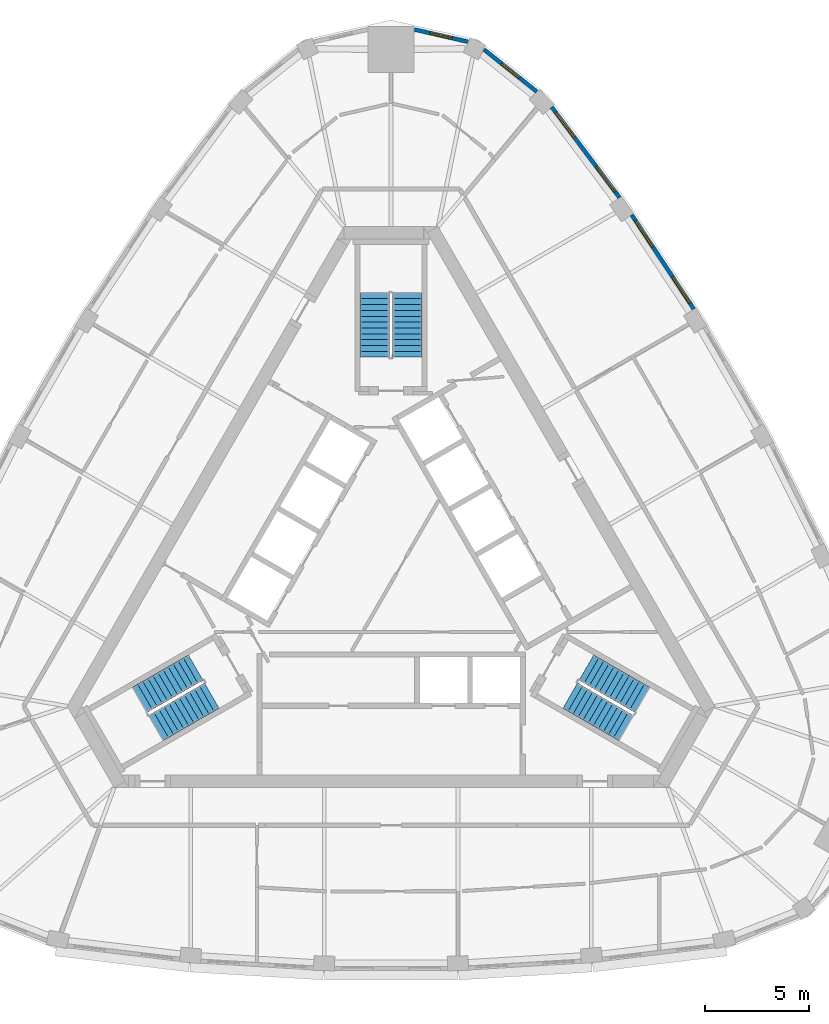
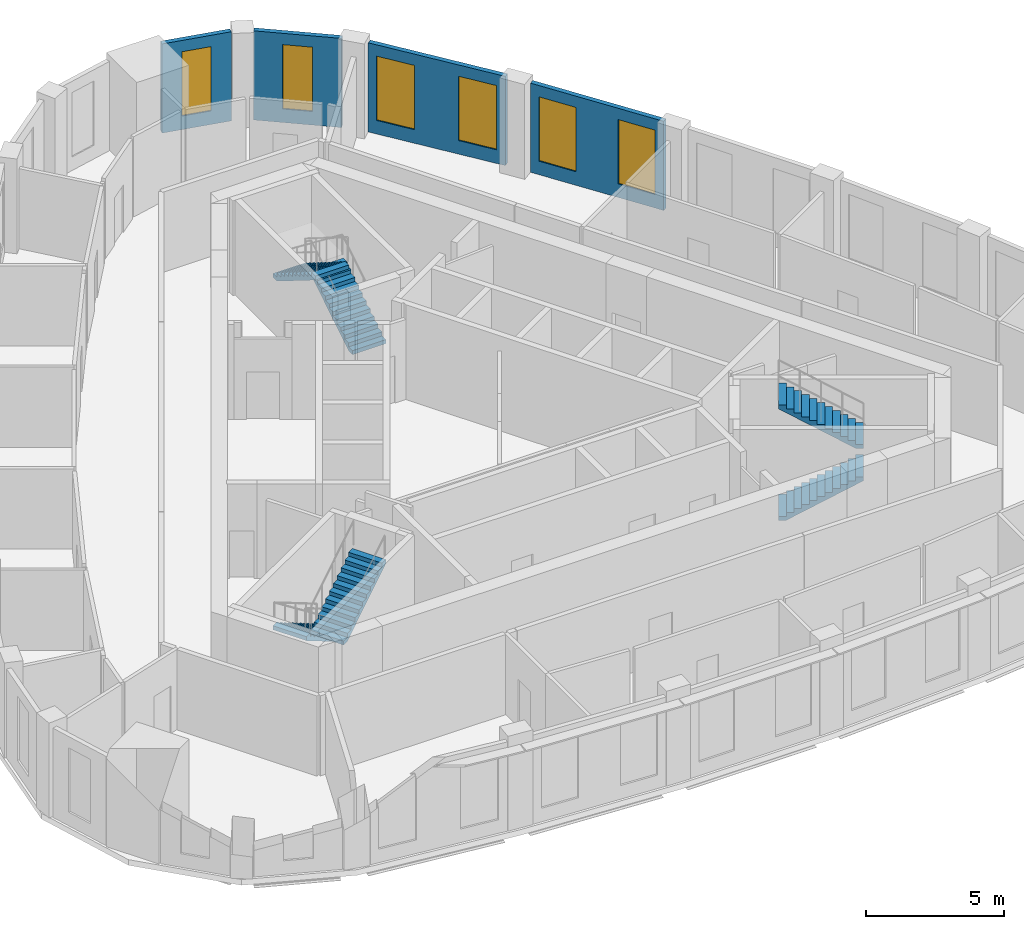
# One storey, part 9 of 10: 6 stair flights, 6 windows, 4 walls, 6 openings, 3 elements without a shape of their own.
"""IFC4 building model written with IfcOpenShell, lengths in metres."""

from ifc_helpers import new_model, si_unit, direction, frame, frame_2d, origin, place, context, subcontext, project, spatial, polyline, rectangle, outline, extrude, material, layer, layer_set, type_object, element, fill, aggregate, save


model = new_model("IFC4")

# Units and contexts
model_context = context("Model", 3, precision=1e-05, world=origin(), true_north=direction((0.0, 1.0)))
body_context = subcontext(model_context, "Body", "Model", "MODEL_VIEW")
ifc_project = project(units=[si_unit("LENGTHUNIT", "METRE"), si_unit("AREAUNIT", "SQUARE_METRE"), si_unit("VOLUMEUNIT", "CUBIC_METRE"), si_unit("PLANEANGLEUNIT", "RADIAN"), si_unit("MASSUNIT", "GRAM", prefix="KILO")], contexts=[model_context])

# Site, building, storey
site_placement = place(None, origin())
site = spatial("IfcSite", under=ifc_project, at=site_placement, CompositionType="ELEMENT")
building_placement = place(site_placement, origin())
building = spatial("IfcBuilding", under=site, at=building_placement, Name="Mestral Congress Tower", CompositionType="ELEMENT")
storey_placement = place(building_placement, frame((0.0, 0.0, 288.0)))
storey = spatial("IfcBuildingStorey", under=building, at=storey_placement, Name="L67", CompositionType="ELEMENT", Elevation=288.0)

# Wall, openings, windows
ifc_material_1 = material(Name="Precast concrete C40/50 with limestone facing", Category="masonry")
ifc_layer = layer(ifc_material_1, 0.18994140625)
ifc_layer_set = layer_set([ifc_layer], Name="Precast concrete C40/50 with limestone facing")
wall_type = type_object("IfcWallType", Name="Facade stone wall 190", PredefinedType="SOLIDWALL", material=ifc_layer_set)
wall_1_placement = place(storey_placement, frame((14.49560546875, 12.6533203125, 0.0), z_axis=(0.0, 0.0, 1.0), x_axis=(-0.550744054781, 0.83467417962, 0.0)))
wall_1 = element("IfcWall", 1, at=wall_1_placement, inside=storey, type_object=wall_type, Name="Facade wall F1-03", PredefinedType="SOLIDWALL", context=body_context, shape_type="SweptSolid", body=[
    extrude(rectangle(XDim=5.406005859375, YDim=0.18994140625, at=frame_2d((2.703125, 0.0))), origin(), (0.0, 0.0, 1.0), 3.949951171875),
])
opening_1_placement = place(wall_1_placement, frame((0.346435546875, 0.0, 0.60009765625)))
opening_1 = element("IfcOpeningElement", 2, at=opening_1_placement, cuts=wall_1, Name="Opening W6", PredefinedType="OPENING", context=body_context, shape_type="SweptSolid", body=[
    extrude(rectangle(XDim=1.5, YDim=2.85009765625, at=frame_2d((0.75, 1.425048828125))), frame((0.0, 0.10498046875, 0.0), z_axis=(0.0, -1.0, 0.0), x_axis=(1.0, 0.0, 0.0)), (0.0, 0.0, 1.0), 0.2099609375),
])
opening_2_placement = place(wall_1_placement, frame((3.559326171875, 0.0, 0.60009765625)))
opening_2 = element("IfcOpeningElement", 3, at=opening_2_placement, cuts=wall_1, Name="Opening W6", PredefinedType="OPENING", context=body_context, shape_type="SweptSolid", body=[
    extrude(rectangle(XDim=1.5, YDim=2.85009765625, at=frame_2d((0.75, 1.425048828125))), frame((0.0, 0.10498046875, 0.0), z_axis=(0.0, -1.0, 0.0), x_axis=(1.0, 0.0, 0.0)), (0.0, 0.0, 1.0), 0.2099609375),
])
ifc_material_2 = material(Name="Clear low-emissivity double glazing", Category="glass")
window_type_1 = type_object("IfcWindowType", Name="Facade punched window 1500 x 2850 sill 600", PartitioningType="SINGLE_PANEL", PredefinedType="WINDOW", material=ifc_material_2)
window_1_placement = place(opening_1_placement, origin())
window_1 = element("IfcWindow", 4, at=window_1_placement, inside=storey, type_object=window_type_1, Name="Window F1-03a", OverallHeight=2.85009765625, OverallWidth=1.5, PartitioningType="SINGLE_PANEL", PredefinedType="WINDOW", context=body_context, shape_type="SweptSolid", body=[
    extrude(rectangle(XDim=1.5, YDim=2.85009765625, at=frame_2d((0.75, 1.425048828125))), frame((0.0, 0.044921875, 0.0), z_axis=(0.0, -1.0, 0.0), x_axis=(1.0, 0.0, 0.0)), (0.0, 0.0, 1.0), 0.06005859375),
])
fill(opening_1, window_1)
window_2_placement = place(opening_2_placement, origin())
window_2 = element("IfcWindow", 5, at=window_2_placement, inside=storey, type_object=window_type_1, Name="Window F1-03b", OverallHeight=2.85009765625, OverallWidth=1.5, PartitioningType="SINGLE_PANEL", PredefinedType="WINDOW", context=body_context, shape_type="SweptSolid", body=[
    extrude(rectangle(XDim=1.5, YDim=2.85009765625, at=frame_2d((0.75, 1.425048828125))), frame((0.0, 0.044921875, 0.0), z_axis=(0.0, -1.0, 0.0), x_axis=(1.0, 0.0, 0.0)), (0.0, 0.0, 1.0), 0.06005859375),
])
fill(opening_2, window_2)

wall_2_placement = place(storey_placement, frame((10.938232421875, 17.989990234375, 0.0), z_axis=(0.0, 0.0, 1.0), x_axis=(-0.599559865294, 0.800329911929, 0.0)))
wall_2 = element("IfcWall", 6, at=wall_2_placement, inside=storey, type_object=wall_type, Name="Facade wall F1-04", PredefinedType="SOLIDWALL", context=body_context, shape_type="SweptSolid", body=[
    extrude(rectangle(XDim=5.4150390625, YDim=0.18994140625, at=frame_2d((2.70751953125, 0.0))), origin(), (0.0, 0.0, 1.0), 3.949951171875),
])
opening_3_placement = place(wall_2_placement, frame((0.357666015625, 0.0, 0.60009765625)))
opening_3 = element("IfcOpeningElement", 7, at=opening_3_placement, cuts=wall_2, Name="Opening W6", PredefinedType="OPENING", context=body_context, shape_type="SweptSolid", body=[
    extrude(rectangle(XDim=1.5, YDim=2.85009765625, at=frame_2d((0.75, 1.425048828125))), frame((0.0, 0.10498046875, 0.0), z_axis=(0.0, -1.0, 0.0), x_axis=(1.0, 0.0, 0.0)), (0.0, 0.0, 1.0), 0.2099609375),
])
opening_4_placement = place(wall_2_placement, frame((3.592529296875, 0.0, 0.60009765625)))
opening_4 = element("IfcOpeningElement", 8, at=opening_4_placement, cuts=wall_2, Name="Opening W6", PredefinedType="OPENING", context=body_context, shape_type="SweptSolid", body=[
    extrude(rectangle(XDim=1.5, YDim=2.85009765625, at=frame_2d((0.75, 1.425048828125))), frame((0.0, 0.10498046875, 0.0), z_axis=(0.0, -1.0, 0.0), x_axis=(1.0, 0.0, 0.0)), (0.0, 0.0, 1.0), 0.2099609375),
])
window_3_placement = place(opening_3_placement, origin())
window_3 = element("IfcWindow", 9, at=window_3_placement, inside=storey, type_object=window_type_1, Name="Window F1-04a", OverallHeight=2.85009765625, OverallWidth=1.5, PartitioningType="SINGLE_PANEL", PredefinedType="WINDOW", context=body_context, shape_type="SweptSolid", body=[
    extrude(rectangle(XDim=1.5, YDim=2.85009765625, at=frame_2d((0.75, 1.425048828125))), frame((0.0, 0.044921875, 0.0), z_axis=(0.0, -1.0, 0.0), x_axis=(1.0, 0.0, 0.0)), (0.0, 0.0, 1.0), 0.06005859375),
])
fill(opening_3, window_3)
window_4_placement = place(opening_4_placement, origin())
window_4 = element("IfcWindow", 10, at=window_4_placement, inside=storey, type_object=window_type_1, Name="Window F1-04b", OverallHeight=2.85009765625, OverallWidth=1.5, PartitioningType="SINGLE_PANEL", PredefinedType="WINDOW", context=body_context, shape_type="SweptSolid", body=[
    extrude(rectangle(XDim=1.5, YDim=2.85009765625, at=frame_2d((0.75, 1.425048828125))), frame((0.0, 0.044921875, 0.0), z_axis=(0.0, -1.0, 0.0), x_axis=(1.0, 0.0, 0.0)), (0.0, 0.0, 1.0), 0.06005859375),
])
fill(opening_4, window_4)

# Wall, opening, window
wall_3_placement = place(storey_placement, frame((6.977294921875, 23.061279296875, 0.0), z_axis=(0.0, 0.0, 1.0), x_axis=(-0.781626234064, 0.623747088349, 0.0)))
wall_3 = element("IfcWall", 11, at=wall_3_placement, inside=storey, type_object=wall_type, Name="Facade wall K1-0", PredefinedType="SOLIDWALL", context=body_context, shape_type="SweptSolid", body=[
    extrude(rectangle(XDim=3.236572265625, YDim=0.18994140625, at=frame_2d((1.6181640625, 0.0))), origin(), (0.0, 0.0, 1.0), 3.949951171875),
])
opening_5_placement = place(wall_3_placement, frame((1.068359375, 0.0, 0.60009765625)))
opening_5 = element("IfcOpeningElement", 12, at=opening_5_placement, cuts=wall_3, Name="Opening W7", PredefinedType="OPENING", context=body_context, shape_type="SweptSolid", body=[
    extrude(rectangle(XDim=1.10009765625, YDim=2.85009765625, at=frame_2d((0.550048828125, 1.425048828125))), frame((0.0, 0.10498046875, 0.0), z_axis=(0.0, -1.0, 0.0), x_axis=(1.0, 0.0, 0.0)), (0.0, 0.0, 1.0), 0.2099609375),
])
window_type_2 = type_object("IfcWindowType", Name="Facade punched window 1100 x 2850 sill 600", PartitioningType="SINGLE_PANEL", PredefinedType="WINDOW", material=ifc_material_2)
window_5_placement = place(opening_5_placement, origin())
window_5 = element("IfcWindow", 13, at=window_5_placement, inside=storey, type_object=window_type_2, Name="Window K1-0", OverallHeight=2.85009765625, OverallWidth=1.10009765625, PartitioningType="SINGLE_PANEL", PredefinedType="WINDOW", context=body_context, shape_type="SweptSolid", body=[
    extrude(rectangle(XDim=1.10009765625, YDim=2.85009765625, at=frame_2d((0.550048828125, 1.425048828125))), frame((0.0, 0.044921875, 0.0), z_axis=(0.0, -1.0, 0.0), x_axis=(1.0, 0.0, 0.0)), (0.0, 0.0, 1.0), 0.06005859375),
])
fill(opening_5, window_5)

wall_4_placement = place(storey_placement, frame((3.6826171875, 25.44873046875, 0.0), z_axis=(0.0, 0.0, 1.0), x_axis=(-0.974913273386, 0.222585060988, 0.0)))
wall_4 = element("IfcWall", 14, at=wall_4_placement, inside=storey, type_object=wall_type, Name="Facade wall K1-1", PredefinedType="SOLIDWALL", context=body_context, shape_type="SweptSolid", body=[
    extrude(rectangle(XDim=2.626953125, YDim=0.18994140625, at=frame_2d((1.3134765625, 0.0))), origin(), (0.0, 0.0, 1.0), 3.949951171875),
])
opening_6_placement = place(wall_4_placement, frame((0.763427734375, 0.0, 0.60009765625)))
opening_6 = element("IfcOpeningElement", 15, at=opening_6_placement, cuts=wall_4, Name="Opening W7", PredefinedType="OPENING", context=body_context, shape_type="SweptSolid", body=[
    extrude(rectangle(XDim=1.10009765625, YDim=2.85009765625, at=frame_2d((0.550048828125, 1.425048828125))), frame((0.0, 0.10498046875, 0.0), z_axis=(0.0, -1.0, 0.0), x_axis=(1.0, 0.0, 0.0)), (0.0, 0.0, 1.0), 0.2099609375),
])
window_6_placement = place(opening_6_placement, origin())
window_6 = element("IfcWindow", 16, at=window_6_placement, inside=storey, type_object=window_type_2, Name="Window K1-1", OverallHeight=2.85009765625, OverallWidth=1.10009765625, PartitioningType="SINGLE_PANEL", PredefinedType="WINDOW", context=body_context, shape_type="SweptSolid", body=[
    extrude(rectangle(XDim=1.10009765625, YDim=2.85009765625, at=frame_2d((0.550048828125, 1.425048828125))), frame((0.0, 0.044921875, 0.0), z_axis=(0.0, -1.0, 0.0), x_axis=(1.0, 0.0, 0.0)), (0.0, 0.0, 1.0), 0.06005859375),
])
fill(opening_6, window_6)

# Stair, stair flights
ifc_material_3 = material(Name="Concrete C60/75", Category="concrete")
stair_type = type_object("IfcStairType", Name="Exit stair 1400", PredefinedType="HALF_TURN_STAIR", material=ifc_material_3)
placement = place(storey_placement, origin())
stair_1 = element("IfcStair", 17, at=placement, inside=storey, type_object=stair_type, Name="L67 ST1", PredefinedType="HALF_TURN_STAIR")
stair_flight_type = type_object("IfcStairFlightType", Name="Exit stair flight 1400", PredefinedType="STRAIGHT", material=ifc_material_3)
stair_flight_1_placement = place(storey_placement, frame((8.575927734375, -5.84619140625, 0.0), z_axis=(0.0, 0.0, 1.0), x_axis=(0.866025403784, -0.5, 0.0)))
stair_flight_1 = element("IfcStairFlight", 18, at=stair_flight_1_placement, type_object=stair_flight_type, Name="ST1 flight 1", NumberOfRisers=12, NumberOfTreads=11, PredefinedType="STRAIGHT", RiserHeight=0.175, TreadLength=0.28, context=body_context, shape_type="SweptSolid", body=[
    extrude(outline(polyline([(0.0, 0.0), (0.0, 0.175048828125), (0.280029296875, 0.175048828125), (0.280029296875, 0.35009765625), (0.56005859375, 0.35009765625), (0.56005859375, 0.52490234375), (0.840087890625, 0.52490234375), (0.840087890625, 0.699951171875), (1.1201171875, 0.699951171875), (1.1201171875, 0.875), (1.39990234375, 0.875), (1.39990234375, 1.050048828125), (1.679931640625, 1.050048828125), (1.679931640625, 1.22509765625), (1.9599609375, 1.22509765625), (1.9599609375, 1.39990234375), (2.239990234375, 1.39990234375), (2.239990234375, 1.574951171875), (2.52001953125, 1.574951171875), (2.52001953125, 1.75), (2.800048828125, 1.75), (2.800048828125, 1.925048828125), (3.080078125, 1.925048828125), (3.080078125, 2.10009765625), (3.080078125, 1.748291015625), (0.28271484375, 0.0), (0.0, 0.0)])), frame((0.0, 0.699951171875, 0.0), z_axis=(0.0, -1.0, 0.0), x_axis=(1.0, 0.0, 0.0)), (0.0, 0.0, 1.0), 1.39990234375),
])
stair_flight_2_placement = place(storey_placement, frame((12.018310546875, -6.0439453125, 2.10009765625), z_axis=(0.0, 0.0, 1.0), x_axis=(-0.866025403784, 0.5, 0.0)))
stair_flight_2 = element("IfcStairFlight", 19, at=stair_flight_2_placement, type_object=stair_flight_type, Name="ST1 flight 2", NumberOfRisers=12, NumberOfTreads=11, PredefinedType="STRAIGHT", RiserHeight=0.175, TreadLength=0.28, context=body_context, shape_type="SweptSolid", body=[
    extrude(outline(polyline([(0.0, 0.0), (0.0, 0.175048828125), (0.280029296875, 0.175048828125), (0.280029296875, 0.35009765625), (0.56005859375, 0.35009765625), (0.56005859375, 0.52490234375), (0.840087890625, 0.52490234375), (0.840087890625, 0.699951171875), (1.1201171875, 0.699951171875), (1.1201171875, 0.875), (1.39990234375, 0.875), (1.39990234375, 1.050048828125), (1.679931640625, 1.050048828125), (1.679931640625, 1.22509765625), (1.9599609375, 1.22509765625), (1.9599609375, 1.39990234375), (2.239990234375, 1.39990234375), (2.239990234375, 1.574951171875), (2.52001953125, 1.574951171875), (2.52001953125, 1.75), (2.800048828125, 1.75), (2.800048828125, 1.925048828125), (3.080078125, 1.925048828125), (3.080078125, 2.10009765625), (3.080078125, 1.748291015625), (0.28271484375, 0.0), (0.0, 0.0)])), frame((0.0, 0.699951171875, 0.0), z_axis=(0.0, -1.0, 0.0), x_axis=(1.0, 0.0, 0.0)), (0.0, 0.0, 1.0), 1.39990234375),
])
aggregate(stair_1, [stair_flight_1, stair_flight_2])

stair_2 = element("IfcStair", 20, at=placement, inside=storey, type_object=stair_type, Name="L67 ST2", PredefinedType="HALF_TURN_STAIR")
stair_flight_3_placement = place(storey_placement, frame((0.77490234375, 10.35009765625, 0.0), z_axis=(0.0, 0.0, 1.0), x_axis=(0.0, 1.0, 0.0)))
stair_flight_3 = element("IfcStairFlight", 21, at=stair_flight_3_placement, type_object=stair_flight_type, Name="ST2 flight 1", NumberOfRisers=12, NumberOfTreads=11, PredefinedType="STRAIGHT", RiserHeight=0.175, TreadLength=0.28, context=body_context, shape_type="SweptSolid", body=[
    extrude(outline(polyline([(0.0, 0.0), (0.0, 0.175048828125), (0.280029296875, 0.175048828125), (0.280029296875, 0.35009765625), (0.56005859375, 0.35009765625), (0.56005859375, 0.52490234375), (0.840087890625, 0.52490234375), (0.840087890625, 0.699951171875), (1.1201171875, 0.699951171875), (1.1201171875, 0.875), (1.39990234375, 0.875), (1.39990234375, 1.050048828125), (1.679931640625, 1.050048828125), (1.679931640625, 1.22509765625), (1.9599609375, 1.22509765625), (1.9599609375, 1.39990234375), (2.239990234375, 1.39990234375), (2.239990234375, 1.574951171875), (2.52001953125, 1.574951171875), (2.52001953125, 1.75), (2.800048828125, 1.75), (2.800048828125, 1.925048828125), (3.080078125, 1.925048828125), (3.080078125, 2.10009765625), (3.080078125, 1.748291015625), (0.28271484375, 0.0), (0.0, 0.0)])), frame((0.0, 0.699951171875, 0.0), z_axis=(0.0, -1.0, 0.0), x_axis=(1.0, 0.0, 0.0)), (0.0, 0.0, 1.0), 1.39990234375),
])
stair_flight_4_placement = place(storey_placement, frame((-0.77490234375, 13.429931640625, 2.10009765625), z_axis=(0.0, 0.0, 1.0), x_axis=(0.0, -1.0, 0.0)))
stair_flight_4 = element("IfcStairFlight", 22, at=stair_flight_4_placement, type_object=stair_flight_type, Name="ST2 flight 2", NumberOfRisers=12, NumberOfTreads=11, PredefinedType="STRAIGHT", RiserHeight=0.175, TreadLength=0.28, context=body_context, shape_type="SweptSolid", body=[
    extrude(outline(polyline([(0.0, 0.0), (0.0, 0.175048828125), (0.280029296875, 0.175048828125), (0.280029296875, 0.35009765625), (0.56005859375, 0.35009765625), (0.56005859375, 0.52490234375), (0.840087890625, 0.52490234375), (0.840087890625, 0.699951171875), (1.1201171875, 0.699951171875), (1.1201171875, 0.875), (1.39990234375, 0.875), (1.39990234375, 1.050048828125), (1.679931640625, 1.050048828125), (1.679931640625, 1.22509765625), (1.9599609375, 1.22509765625), (1.9599609375, 1.39990234375), (2.239990234375, 1.39990234375), (2.239990234375, 1.574951171875), (2.52001953125, 1.574951171875), (2.52001953125, 1.75), (2.800048828125, 1.75), (2.800048828125, 1.925048828125), (3.080078125, 1.925048828125), (3.080078125, 2.10009765625), (3.080078125, 1.748291015625), (0.28271484375, 0.0), (0.0, 0.0)])), frame((0.0, 0.699951171875, 0.0), z_axis=(0.0, -1.0, 0.0), x_axis=(1.0, 0.0, 0.0)), (0.0, 0.0, 1.0), 1.39990234375),
])
aggregate(stair_2, [stair_flight_3, stair_flight_4])

stair_3 = element("IfcStair", 23, at=placement, inside=storey, type_object=stair_type, Name="L67 ST3", PredefinedType="HALF_TURN_STAIR")
stair_flight_5_placement = place(storey_placement, frame((-9.350830078125, -4.50390625, 0.0), z_axis=(0.0, 0.0, 1.0), x_axis=(-0.866025403784, -0.5, 0.0)))
stair_flight_5 = element("IfcStairFlight", 24, at=stair_flight_5_placement, type_object=stair_flight_type, Name="ST3 flight 1", NumberOfRisers=12, NumberOfTreads=11, PredefinedType="STRAIGHT", RiserHeight=0.175, TreadLength=0.28, context=body_context, shape_type="SweptSolid", body=[
    extrude(outline(polyline([(0.0, 0.0), (0.0, 0.175048828125), (0.280029296875, 0.175048828125), (0.280029296875, 0.35009765625), (0.56005859375, 0.35009765625), (0.56005859375, 0.52490234375), (0.840087890625, 0.52490234375), (0.840087890625, 0.699951171875), (1.1201171875, 0.699951171875), (1.1201171875, 0.875), (1.39990234375, 0.875), (1.39990234375, 1.050048828125), (1.679931640625, 1.050048828125), (1.679931640625, 1.22509765625), (1.9599609375, 1.22509765625), (1.9599609375, 1.39990234375), (2.239990234375, 1.39990234375), (2.239990234375, 1.574951171875), (2.52001953125, 1.574951171875), (2.52001953125, 1.75), (2.800048828125, 1.75), (2.800048828125, 1.925048828125), (3.080078125, 1.925048828125), (3.080078125, 2.10009765625), (3.080078125, 1.748291015625), (0.28271484375, 0.0), (0.0, 0.0)])), frame((0.0, 0.699951171875, 0.0), z_axis=(0.0, -1.0, 0.0), x_axis=(1.0, 0.0, 0.0)), (0.0, 0.0, 1.0), 1.39990234375),
])
stair_flight_6_placement = place(storey_placement, frame((-11.2431640625, -7.38623046875, 2.10009765625), z_axis=(0.0, 0.0, 1.0), x_axis=(0.866025403784, 0.5, 0.0)))
stair_flight_6 = element("IfcStairFlight", 25, at=stair_flight_6_placement, type_object=stair_flight_type, Name="ST3 flight 2", NumberOfRisers=12, NumberOfTreads=11, PredefinedType="STRAIGHT", RiserHeight=0.175, TreadLength=0.28, context=body_context, shape_type="SweptSolid", body=[
    extrude(outline(polyline([(0.0, 0.0), (0.0, 0.175048828125), (0.280029296875, 0.175048828125), (0.280029296875, 0.35009765625), (0.56005859375, 0.35009765625), (0.56005859375, 0.52490234375), (0.840087890625, 0.52490234375), (0.840087890625, 0.699951171875), (1.1201171875, 0.699951171875), (1.1201171875, 0.875), (1.39990234375, 0.875), (1.39990234375, 1.050048828125), (1.679931640625, 1.050048828125), (1.679931640625, 1.22509765625), (1.9599609375, 1.22509765625), (1.9599609375, 1.39990234375), (2.239990234375, 1.39990234375), (2.239990234375, 1.574951171875), (2.52001953125, 1.574951171875), (2.52001953125, 1.75), (2.800048828125, 1.75), (2.800048828125, 1.925048828125), (3.080078125, 1.925048828125), (3.080078125, 2.10009765625), (3.080078125, 1.748291015625), (0.28271484375, 0.0), (0.0, 0.0)])), frame((0.0, 0.699951171875, 0.0), z_axis=(0.0, -1.0, 0.0), x_axis=(1.0, 0.0, 0.0)), (0.0, 0.0, 1.0), 1.39990234375),
])
aggregate(stair_3, [stair_flight_5, stair_flight_6])

save(model, "model.ifc")
